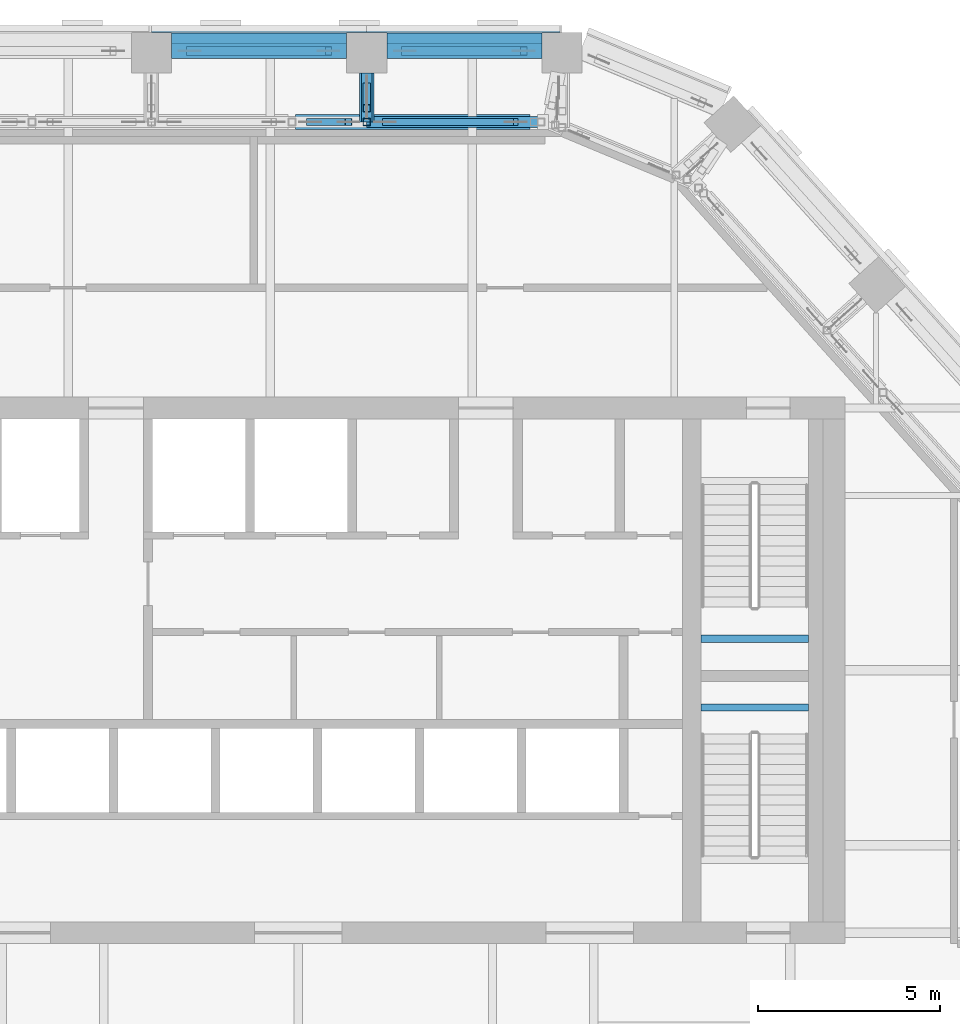
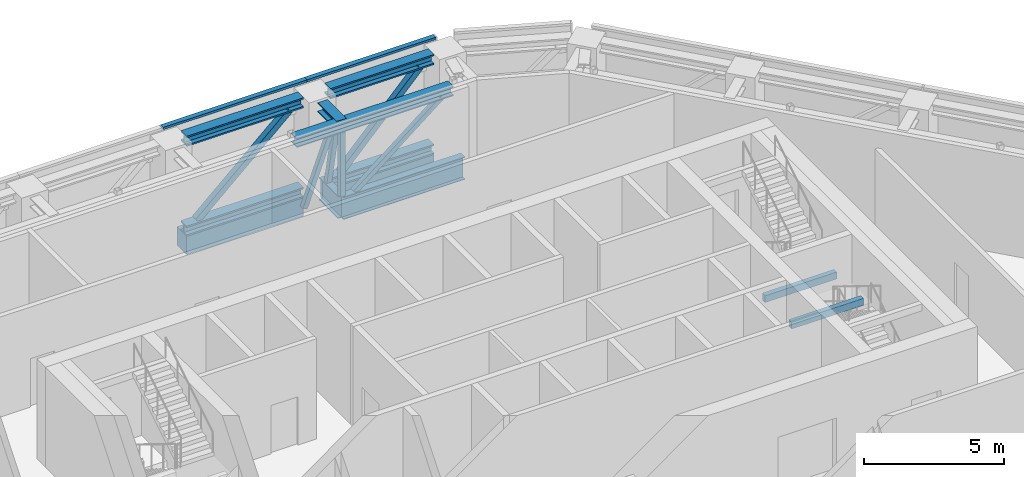
# One storey, part 13 of 25: 16 members, 4 beams, 1 element without a shape of its own.
"""IFC4 building model written with IfcOpenShell, lengths in metres."""

from ifc_helpers import new_model, si_unit, direction, frame, origin, origin_2d, place, context, subcontext, project, spatial, rectangle, hollow_rectangle, i_section, extrude, material, layer, layer_set, material_profile, profile_set, type_object, element, aggregate, save


model = new_model("IFC4")

# Units and contexts
model_context = context("Model", 3, precision=1e-05, world=origin(), true_north=direction((0.0, 1.0)))
body_context = subcontext(model_context, "Body", "Model", "MODEL_VIEW")
ifc_project = project(units=[si_unit("LENGTHUNIT", "METRE"), si_unit("AREAUNIT", "SQUARE_METRE"), si_unit("VOLUMEUNIT", "CUBIC_METRE"), si_unit("PLANEANGLEUNIT", "RADIAN"), si_unit("MASSUNIT", "GRAM", prefix="KILO")], contexts=[model_context])

# Site, building, storey
site_placement = place(None, origin())
site = spatial("IfcSite", under=ifc_project, at=site_placement, CompositionType="ELEMENT")
building_placement = place(site_placement, origin())
building = spatial("IfcBuilding", under=site, at=building_placement, Name="Isthmus Gate Tower", CompositionType="ELEMENT")
storey_placement = place(building_placement, frame((0.0, 0.0, 256.449951171875)))
storey = spatial("IfcBuildingStorey", under=building, at=storey_placement, Name="L65", CompositionType="ELEMENT", Elevation=256.449951171875)

# Members
ifc_material_1 = material(Name="Structural steel ASTM A913 Gr 65", Category="steel")
ifc_material_profile_1 = material_profile(ifc_material_1, i_section(OverallWidth=0.416015625, OverallDepth=0.444580078125, WebThickness=0.039794921875, FlangeThickness=0.0634765625, at=origin_2d()), Name="W14X342")
ifc_profile_set_1 = profile_set([ifc_material_profile_1], Name="Structural steel ASTM A913 Gr 65")
member_type_1 = type_object("IfcMemberType", Name="BELT TRUSS CHORD W14X342", PredefinedType="CHORD", material=ifc_profile_set_1)
for number, where, z_axis, x_axis, name in (
    (1, (-3.47998046875, 24.5, 0.222412109375), (1.0, 0.0, 0.0), (0.0, 1.0, 0.0), "str-belt28-L65-01"),
    (2, (-3.47998046875, 24.5, 4.127685546875), (1.0, 0.0, 0.0), (0.0, 1.0, 0.0), "str-belt28-L65-02"),
):
    element("IfcMember", number, at=place(storey_placement, frame(where, z_axis=z_axis, x_axis=x_axis)), inside=storey, type_object=member_type_1, Name=name, PredefinedType="CHORD", context=body_context, shape_type="SweptSolid", body=[
        extrude(i_section(OverallWidth=0.416015625, OverallDepth=0.444580078125, WebThickness=0.039794921875, FlangeThickness=0.0634765625, at=origin_2d()), origin(), (0.0, 0.0, 1.0), 4.810546875),
    ])
for number, where, z_axis, x_axis, name in (
    (3, (2.430419921875, 24.5, 0.222412109375), (1.0, 0.0, 0.0), (0.0, 1.0, 0.0), "str-belt29-L65-01"),
    (4, (2.430419921875, 24.5, 4.127685546875), (1.0, 0.0, 0.0), (0.0, 1.0, 0.0), "str-belt29-L65-02"),
):
    element("IfcMember", number, at=place(storey_placement, frame(where, z_axis=z_axis, x_axis=x_axis)), inside=storey, type_object=member_type_1, Name=name, PredefinedType="CHORD", context=body_context, shape_type="SweptSolid", body=[
        extrude(i_section(OverallWidth=0.416015625, OverallDepth=0.444580078125, WebThickness=0.039794921875, FlangeThickness=0.0634765625, at=origin_2d()), origin(), (0.0, 0.0, 1.0), 4.2607421875),
    ])

# Curtain wall, members
ifc_material_2 = material(Name="Aluminium, pale champagne anodised", Category="aluminium")
ifc_layer = layer(ifc_material_2, 0.199951171875)
ifc_layer_set = layer_set([ifc_layer], Name="CW-2 LOUVRE CURTAIN WALL 200 DEEP")
curtain_wall_type = type_object("IfcCurtainWallType", Name="CW-2 LOUVRE CURTAIN WALL 200 DEEP", PredefinedType="NOTDEFINED", material=ifc_layer_set)
curtain_wall_placement = place(storey_placement, origin())
curtain_wall = element("IfcCurtainWall", 5, at=curtain_wall_placement, inside=storey, type_object=curtain_wall_type, Name="CW-2 N L65", PredefinedType="NOTDEFINED")
ifc_material_3 = material(Name="Aluminium, pale champagne anodised", Category="aluminium")
ifc_material_profile_2 = material_profile(ifc_material_3, rectangle(XDim=0.199951171875, YDim=0.10009765625, at=origin_2d()), Name="200x100")
ifc_profile_set_2 = profile_set([ifc_material_profile_2], Name="Aluminium, pale champagne anodised")
member_type_2 = type_object("IfcMemberType", Name="CW-2 TRANSOM 200 X 100", PredefinedType="USERDEFINED", material=ifc_profile_set_2)
member_1_placement = place(storey_placement, frame((7.18115234375, 25.10009765625, 4.449951171875), z_axis=(-1.0, 0.0, 0.0), x_axis=(0.0, -1.0, 0.0)))
member_1 = element("IfcMember", 6, at=member_1_placement, type_object=member_type_2, Name="CW-2 transom", ObjectType="TRANSOM", PredefinedType="USERDEFINED", context=body_context, shape_type="SweptSolid", body=[
    extrude(rectangle(XDim=0.199951171875, YDim=0.10009765625, at=origin_2d()), origin(), (0.0, 0.0, 1.0), 5.300537109375),
])
member_2_placement = place(storey_placement, frame((1.880615234375, 25.10009765625, 4.449951171875), z_axis=(-1.0, 0.0, 0.0), x_axis=(0.0, -1.0, 0.0)))
member_2 = element("IfcMember", 7, at=member_2_placement, type_object=member_type_2, Name="CW-2 transom", ObjectType="TRANSOM", PredefinedType="USERDEFINED", context=body_context, shape_type="SweptSolid", body=[
    extrude(rectangle(XDim=0.199951171875, YDim=0.10009765625, at=origin_2d()), origin(), (0.0, 0.0, 1.0), 5.91064453125),
])
aggregate(curtain_wall, [member_1, member_2])

# Beams
ifc_material_4 = material(Name="Concrete f'c 50 MPa", Category="concrete")
ifc_material_profile_3 = material_profile(ifc_material_4, rectangle(XDim=0.699951171875, YDim=0.800048828125, at=origin_2d()), Name="RC 700X800")
ifc_profile_set_3 = profile_set([ifc_material_profile_3], Name="Concrete f'c 50 MPa")
beam_type_1 = type_object("IfcBeamType", Name="RC SPANDREL 700 X 800", PredefinedType="SPANDREL", material=ifc_profile_set_3)
beam_1_placement = place(storey_placement, frame((-3.47998046875, 24.64990234375, -0.39990234375), z_axis=(1.0, 0.0, 0.0), x_axis=(0.0, 1.0, 0.0)))
element("IfcBeam", 8, at=beam_1_placement, inside=storey, type_object=beam_type_1, Name="str-spandrel-L65-28", PredefinedType="SPANDREL", context=body_context, shape_type="SweptSolid", body=[
    extrude(rectangle(XDim=0.699951171875, YDim=0.800048828125, at=origin_2d()), origin(), (0.0, 0.0, 1.0), 4.810546875),
])
beam_2_placement = place(storey_placement, frame((2.430419921875, 24.64990234375, -0.39990234375), z_axis=(1.0, 0.0, 0.0), x_axis=(0.0, 1.0, 0.0)))
element("IfcBeam", 9, at=beam_2_placement, inside=storey, type_object=beam_type_1, Name="str-spandrel-L65-29", PredefinedType="SPANDREL", context=body_context, shape_type="SweptSolid", body=[
    extrude(rectangle(XDim=0.699951171875, YDim=0.800048828125, at=origin_2d()), origin(), (0.0, 0.0, 1.0), 4.2607421875),
])
ifc_material_5 = material(Name="Concrete f'c 40 MPa", Category="concrete")
ifc_material_profile_4 = material_profile(ifc_material_5, rectangle(XDim=0.199951171875, YDim=0.300048828125, at=origin_2d()), Name="STAIR LANDING BEAM RC 200 X 300")
ifc_profile_set_4 = profile_set([ifc_material_profile_4], Name="Concrete f'c 40 MPa")
beam_type_2 = type_object("IfcBeamType", Name="STAIR LANDING BEAM RC 200 X 300", PredefinedType="BEAM", material=ifc_profile_set_4)
for number, where, z_axis, x_axis, name in (
    (10, (11.050048828125, 8.3701171875, 1.900146484375), (1.0, 0.0, 0.0), (0.0, 1.0, 0.0), "L65 ST2 landing beam 1"),
    (11, (11.050048828125, 6.47998046875, 1.900146484375), (1.0, 0.0, 0.0), (0.0, 1.0, 0.0), "L65 ST8 landing beam 1"),
):
    element("IfcBeam", number, at=place(storey_placement, frame(where, z_axis=z_axis, x_axis=x_axis)), inside=storey, type_object=beam_type_2, Name=name, PredefinedType="BEAM", context=body_context, shape_type="SweptSolid", body=[
        extrude(rectangle(XDim=0.199951171875, YDim=0.300048828125, at=origin_2d()), origin(), (0.0, 0.0, 1.0), 2.949951171875),
    ])

# Members
ifc_material_6 = material(Name="Structural steel ASTM A913 Gr 65", Category="steel")
ifc_material_profile_5 = material_profile(ifc_material_6, i_section(OverallWidth=0.4033203125, OverallDepth=0.406494140625, WebThickness=0.027099609375, FlangeThickness=0.04443359375, at=origin_2d()), Name="W14X233")
ifc_profile_set_5 = profile_set([ifc_material_profile_5], Name="Structural steel ASTM A913 Gr 65")
member_type_3 = type_object("IfcMemberType", Name="TRANSFER TRUSS CHORD W14X233", PredefinedType="CHORD", material=ifc_profile_set_5)
member_3_placement = place(storey_placement, frame((-0.072998046875, 22.550048828125, 4.046875), z_axis=(1.0, 0.0, 0.0), x_axis=(0.0, 1.0, 0.0)))
element("IfcMember", 12, at=member_3_placement, inside=storey, type_object=member_type_3, Name="str-ring11-L65-17", PredefinedType="CHORD", context=body_context, shape_type="SweptSolid", body=[
    extrude(i_section(OverallWidth=0.4033203125, OverallDepth=0.406494140625, WebThickness=0.027099609375, FlangeThickness=0.04443359375, at=origin_2d()), origin(), (0.0, 0.0, 1.0), 6.440673828125),
])
member_4_placement = place(storey_placement, frame((1.880615234375, 23.89990234375, 4.046875), z_axis=(0.0, -1.0, 0.0), x_axis=(1.0, 0.0, 0.0)))
element("IfcMember", 13, at=member_4_placement, inside=storey, type_object=member_type_3, Name="str-link01-L65-02", PredefinedType="CHORD", context=body_context, shape_type="SweptSolid", body=[
    extrude(i_section(OverallWidth=0.4033203125, OverallDepth=0.406494140625, WebThickness=0.027099609375, FlangeThickness=0.04443359375, at=origin_2d()), origin(), (0.0, 0.0, 1.0), 1.349853515625),
])
ifc_material_7 = material(Name="Structural steel ASTM A913 Gr 65", Category="steel")
ifc_material_profile_6 = material_profile(ifc_material_7, i_section(OverallWidth=0.29833984375, OverallDepth=0.981201171875, WebThickness=0.015869140625, FlangeThickness=0.025390625, at=origin_2d()), Name="W40X167")
ifc_profile_set_6 = profile_set([ifc_material_profile_6], Name="Structural steel ASTM A913 Gr 65")
member_type_4 = type_object("IfcMemberType", Name="TRANSFER TRUSS CHORD W40X167", PredefinedType="CHORD", material=ifc_profile_set_6)
member_5_placement = place(storey_placement, frame((1.88037109375, 22.550048828125, 0.490478515625), z_axis=(1.0, 0.0, 0.0), x_axis=(0.0, 1.0, 0.0)))
element("IfcMember", 14, at=member_5_placement, inside=storey, type_object=member_type_4, Name="str-ring11-L65-13", PredefinedType="CHORD", context=body_context, shape_type="SweptSolid", body=[
    extrude(i_section(OverallWidth=0.29833984375, OverallDepth=0.981201171875, WebThickness=0.015869140625, FlangeThickness=0.025390625, at=origin_2d()), origin(), (0.0, 0.0, 1.0), 4.9892578125),
])
member_6_placement = place(storey_placement, frame((1.880615234375, 23.89990234375, 0.490478515625), z_axis=(0.0, -1.0, 0.0), x_axis=(1.0, 0.0, 0.0)))
element("IfcMember", 15, at=member_6_placement, inside=storey, type_object=member_type_4, Name="str-link01-L65-01", PredefinedType="CHORD", context=body_context, shape_type="SweptSolid", body=[
    extrude(i_section(OverallWidth=0.29833984375, OverallDepth=0.981201171875, WebThickness=0.015869140625, FlangeThickness=0.025390625, at=origin_2d()), origin(), (0.0, 0.0, 1.0), 1.349853515625),
])
ifc_material_8 = material(Name="Structural steel ASTM A500 Gr C", Category="steel")
ifc_material_profile_7 = material_profile(ifc_material_8, hollow_rectangle(XDim=0.203125, YDim=0.203125, WallThickness=0.01171875, at=origin_2d()), Name="HSS8X8X1/2")
ifc_profile_set_7 = profile_set([ifc_material_profile_7], Name="Structural steel ASTM A500 Gr C")
member_type_5 = type_object("IfcMemberType", Name="TRANSFER TRUSS DIAGONAL HSS8X8X1/2", PredefinedType="BRACE", material=ifc_profile_set_7)
member_7_placement = place(storey_placement, frame((0.3251953125, 22.550048828125, 0.981201171875), z_axis=(0.345864816796, 0.0, 0.938284353756), x_axis=(0.0, 1.0, 0.0)))
element("IfcMember", 16, at=member_7_placement, inside=storey, type_object=member_type_5, Name="str-ring11-L65-23", PredefinedType="BRACE", context=body_context, shape_type="SweptSolid", body=[
    extrude(hollow_rectangle(XDim=0.203125, YDim=0.203125, WallThickness=0.01171875, at=origin_2d()), origin(), (0.0, 0.0, 1.0), 3.05078125),
])
member_8_placement = place(storey_placement, frame((2.38037109375, 22.550048828125, 0.981201171875), z_axis=(0.78177597063, 0.0, 0.623559405145), x_axis=(0.0, 1.0, 0.0)))
element("IfcMember", 17, at=member_8_placement, inside=storey, type_object=member_type_5, Name="str-ring11-L65-24", PredefinedType="BRACE", context=body_context, shape_type="SweptSolid", body=[
    extrude(hollow_rectangle(XDim=0.203125, YDim=0.203125, WallThickness=0.01171875, at=origin_2d()), origin(), (0.0, 0.0, 1.0), 4.590576171875),
])
member_9_placement = place(storey_placement, frame((1.880615234375, 23.52490234375, 0.981201171875), z_axis=(0.0, -0.205097483093, 0.978741550374), x_axis=(1.0, 0.0, 0.0)))
element("IfcMember", 18, at=member_9_placement, inside=storey, type_object=member_type_5, Name="str-link01-L65-03", PredefinedType="BRACE", context=body_context, shape_type="SweptSolid", body=[
    extrude(hollow_rectangle(XDim=0.203125, YDim=0.203125, WallThickness=0.01171875, at=origin_2d()), origin(), (0.0, 0.0, 1.0), 2.9248046875),
])
ifc_material_9 = material(Name="Structural steel ASTM A500 Gr C", Category="steel")
ifc_material_profile_8 = material_profile(ifc_material_9, hollow_rectangle(XDim=0.203125, YDim=0.203125, WallThickness=0.01171875, at=origin_2d()), Name="HSS8X8X1/2")
ifc_profile_set_8 = profile_set([ifc_material_profile_8], Name="Structural steel ASTM A500 Gr C")
member_type_6 = type_object("IfcMemberType", Name="TRANSFER TRUSS POST HSS8X8X1/2", PredefinedType="POST", material=ifc_profile_set_8)
member_10_placement = place(storey_placement, frame((1.88037109375, 22.550048828125, 0.981201171875), z_axis=(0.0, 0.0, 1.0), x_axis=(1.0, 0.0, 0.0)))
element("IfcMember", 19, at=member_10_placement, inside=storey, type_object=member_type_6, Name="str-ring11-L65-07", PredefinedType="POST", context=body_context, shape_type="SweptSolid", body=[
    extrude(hollow_rectangle(XDim=0.203125, YDim=0.203125, WallThickness=0.01171875, at=origin_2d()), origin(), (0.0, 0.0, 1.0), 2.862548828125),
])
ifc_material_10 = material(Name="Structural steel ASTM A500 Gr C", Category="steel")
ifc_material_profile_9 = material_profile(ifc_material_10, hollow_rectangle(XDim=0.25390625, YDim=0.25390625, WallThickness=0.01171875, at=origin_2d()), Name="HSS10X10X1/2")
ifc_profile_set_9 = profile_set([ifc_material_profile_9], Name="Structural steel ASTM A500 Gr C")
member_type_7 = type_object("IfcMemberType", Name="TRUSS DIAGONAL HSS10X10X1/2", PredefinedType="BRACE", material=ifc_profile_set_9)
member_11_placement = place(storey_placement, frame((-2.97998046875, 24.5, 0.444580078125), z_axis=(0.740249025429, 0.0, 0.672332789882), x_axis=(0.0, 1.0, 0.0)))
element("IfcMember", 20, at=member_11_placement, inside=storey, type_object=member_type_7, Name="str-belt28-L65-03", PredefinedType="BRACE", context=body_context, shape_type="SweptSolid", body=[
    extrude(hollow_rectangle(XDim=0.25390625, YDim=0.25390625, WallThickness=0.01171875, at=origin_2d()), origin(), (0.0, 0.0, 1.0), 5.147705078125),
])
member_12_placement = place(storey_placement, frame((2.930419921875, 24.5, 0.444580078125), z_axis=(0.685742569543, 0.0, 0.727844164857), x_axis=(0.0, 1.0, 0.0)))
element("IfcMember", 21, at=member_12_placement, inside=storey, type_object=member_type_7, Name="str-belt29-L65-03", PredefinedType="BRACE", context=body_context, shape_type="SweptSolid", body=[
    extrude(hollow_rectangle(XDim=0.25390625, YDim=0.25390625, WallThickness=0.01171875, at=origin_2d()), origin(), (0.0, 0.0, 1.0), 4.755126953125),
])

save(model, "model.ifc")
